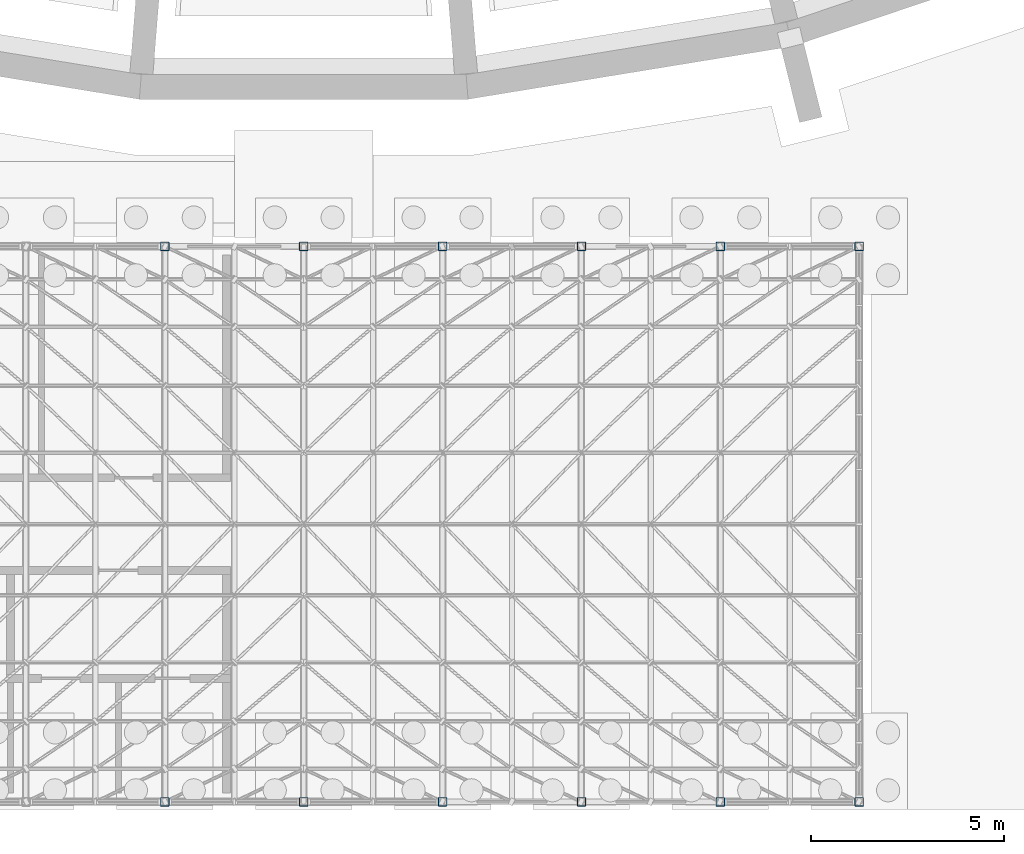
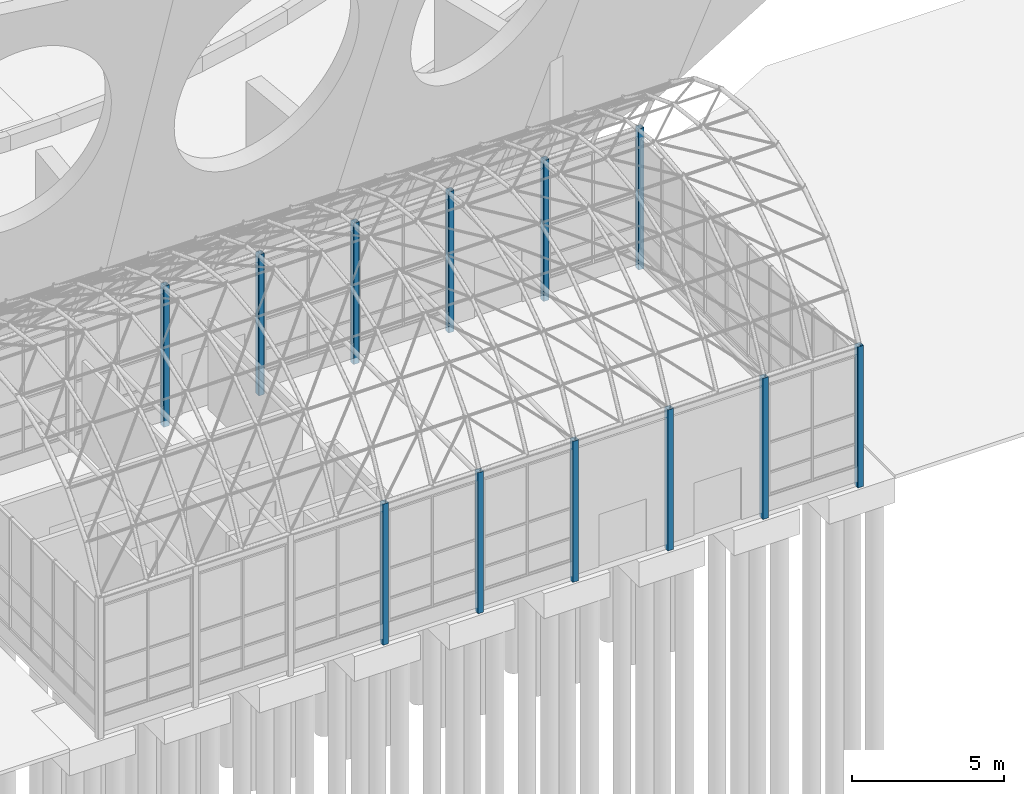
# One storey, part 9 of 116: 12 columns.
"""IFC4 building model written with IfcOpenShell, lengths in metres."""

from ifc_helpers import new_model, si_unit, direction, frame, origin, origin_2d, place, context, subcontext, project, spatial, hollow_rectangle, extrude, material, material_profile, profile_set, type_object, element, save


model = new_model("IFC4")

# Units and contexts
model_context = context("Model", 3, precision=1e-05, world=origin(), true_north=direction((0.0, 1.0)))
body_context = subcontext(model_context, "Body", "Model", "MODEL_VIEW")
ifc_project = project(units=[si_unit("LENGTHUNIT", "METRE"), si_unit("AREAUNIT", "SQUARE_METRE"), si_unit("VOLUMEUNIT", "CUBIC_METRE"), si_unit("PLANEANGLEUNIT", "RADIAN"), si_unit("MASSUNIT", "GRAM", prefix="KILO")], contexts=[model_context])

# Site, building, storey
site_placement = place(None, origin())
site = spatial("IfcSite", under=ifc_project, at=site_placement, CompositionType="ELEMENT")
building_placement = place(site_placement, origin())
building = spatial("IfcBuilding", under=site, at=building_placement, Name="Ardhachandra Cancer Care Centre", CompositionType="ELEMENT")
storey_placement = place(building_placement, origin())
storey = spatial("IfcBuildingStorey", under=building, at=storey_placement, Name="L00", CompositionType="ELEMENT", Elevation=0.0)

# Columns
ifc_material = material(Name="Steel E350 (IS 2062)", Category="steel")
ifc_material_profile = material_profile(ifc_material, hollow_rectangle(XDim=0.219970703125, YDim=0.219970703125, WallThickness=0.008056640625, InnerFilletRadius=0.008056640625, OuterFilletRadius=0.01611328125, at=origin_2d()), Name="SHS 220x220x8.0")
ifc_profile_set = profile_set([ifc_material_profile], Name="Steel E350 (IS 2062)")
column_type = type_object("IfcColumnType", Name="Column SHS 220x220x8.0", PredefinedType="COLUMN", material=ifc_profile_set)
for number, where, z_axis, x_axis, name in (
    (1, (74.39990234375, 7.199951171875, -0.25), (0.0, 0.0, 1.0), (1.0, 0.0, 0.0), "Pavilion column S4"),
    (2, (78.0, 7.199951171875, -0.25), (0.0, 0.0, 1.0), (1.0, 0.0, 0.0), "Pavilion column S5"),
    (3, (81.60009765625, 7.199951171875, -0.25), (0.0, 0.0, 1.0), (1.0, 0.0, 0.0), "Pavilion column S6"),
    (4, (85.199951171875, 7.199951171875, -0.25), (0.0, 0.0, 1.0), (1.0, 0.0, 0.0), "Pavilion column S7"),
    (5, (88.800048828125, 7.199951171875, -0.25), (0.0, 0.0, 1.0), (1.0, 0.0, 0.0), "Pavilion column S8"),
    (6, (92.39990234375, 7.199951171875, -0.25), (0.0, 0.0, 1.0), (1.0, 0.0, 0.0), "Pavilion column S9"),
    (7, (74.39990234375, 21.60009765625, -0.25), (0.0, 0.0, 1.0), (1.0, 0.0, 0.0), "Pavilion column N4"),
    (8, (78.0, 21.60009765625, -0.25), (0.0, 0.0, 1.0), (1.0, 0.0, 0.0), "Pavilion column N5"),
    (9, (81.60009765625, 21.60009765625, -0.25), (0.0, 0.0, 1.0), (1.0, 0.0, 0.0), "Pavilion column N6"),
    (10, (85.199951171875, 21.60009765625, -0.25), (0.0, 0.0, 1.0), (1.0, 0.0, 0.0), "Pavilion column N7"),
    (11, (88.800048828125, 21.60009765625, -0.25), (0.0, 0.0, 1.0), (1.0, 0.0, 0.0), "Pavilion column N8"),
    (12, (92.39990234375, 21.60009765625, -0.25), (0.0, 0.0, 1.0), (1.0, 0.0, 0.0), "Pavilion column N9"),
):
    element("IfcColumn", number, at=place(storey_placement, frame(where, z_axis=z_axis, x_axis=x_axis)), inside=storey, type_object=column_type, Name=name, PredefinedType="COLUMN", context=body_context, shape_type="SweptSolid", body=[
        extrude(hollow_rectangle(XDim=0.219970703125, YDim=0.219970703125, WallThickness=0.008056640625, InnerFilletRadius=0.008056640625, OuterFilletRadius=0.01611328125, at=origin_2d()), origin(), (0.0, 0.0, 1.0), 5.64990234375),
    ])

save(model, "model.ifc")
